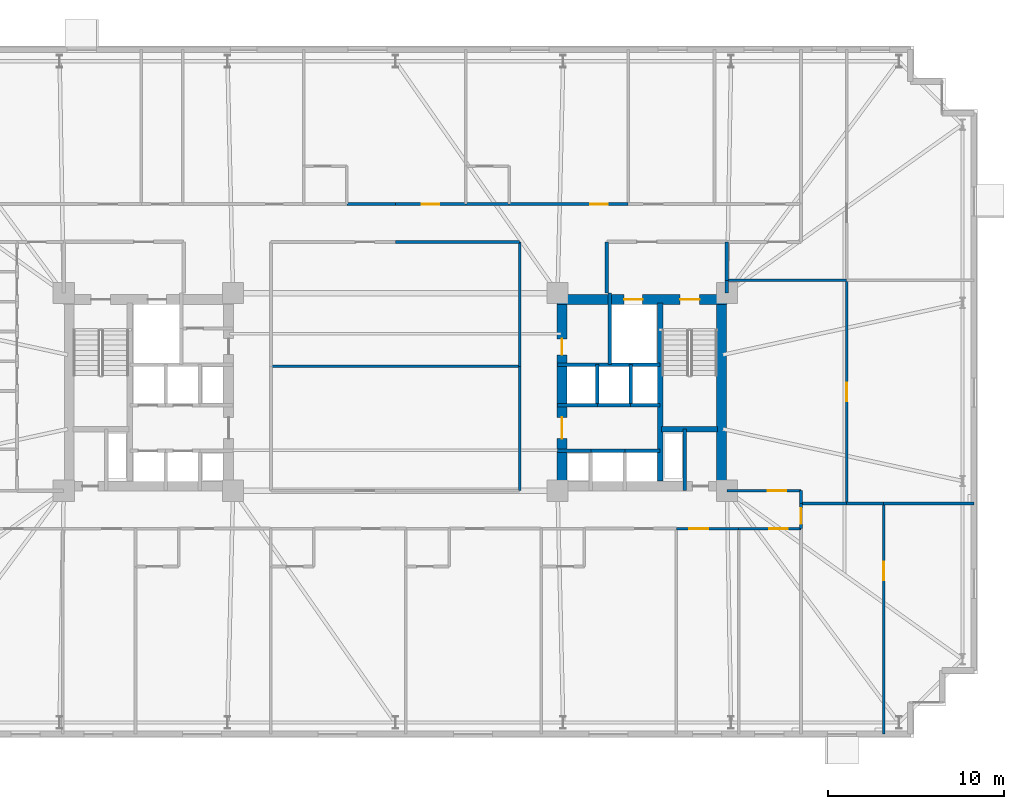
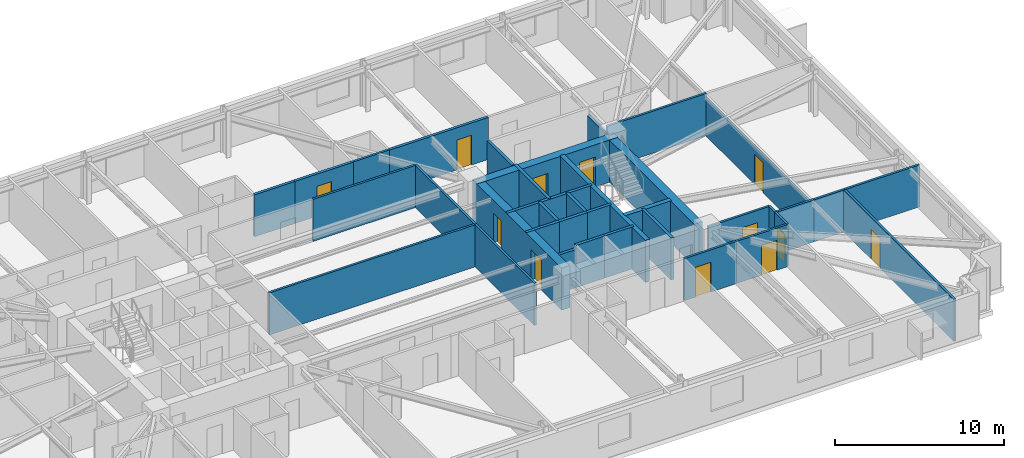
# One storey, part 17 of 21: 38 walls, 12 doors, 12 openings.
"""IFC4 building model written with IfcOpenShell, lengths in metres."""

from ifc_helpers import new_model, si_unit, direction, frame, frame_2d, origin, place, context, subcontext, project, spatial, rectangle, extrude, material, layer, layer_set, type_object, element, fill, save


model = new_model("IFC4")

# Units and contexts
model_context = context("Model", 3, precision=1e-05, world=origin(), true_north=direction((0.0, 1.0)))
body_context = subcontext(model_context, "Body", "Model", "MODEL_VIEW")
ifc_project = project(units=[si_unit("LENGTHUNIT", "METRE"), si_unit("AREAUNIT", "SQUARE_METRE"), si_unit("VOLUMEUNIT", "CUBIC_METRE"), si_unit("PLANEANGLEUNIT", "RADIAN"), si_unit("MASSUNIT", "GRAM", prefix="KILO")], contexts=[model_context])

# Site, building, storey
site_placement = place(None, origin())
site = spatial("IfcSite", under=ifc_project, at=site_placement, CompositionType="ELEMENT")
building_placement = place(site_placement, origin())
building = spatial("IfcBuilding", under=site, at=building_placement, Name="Qobustan Lattice House", CompositionType="ELEMENT")
storey_placement = place(building_placement, frame((0.0, 0.0, 40.39990234375)))
storey = spatial("IfcBuildingStorey", under=building, at=storey_placement, Name="L10", CompositionType="ELEMENT", Elevation=40.39990234375)

# Wall, openings, doors
ifc_material_1 = material(Name="Concrete C60/75", Category="concrete")
ifc_layer_1 = layer(ifc_material_1, 0.56005859375)
ifc_layer_set_1 = layer_set([ifc_layer_1], Name="Concrete C60/75")
wall_type_1 = type_object("IfcWallType", Name="WAL-CORE-600", PredefinedType="SHEAR", material=ifc_layer_set_1)
wall_1_placement = place(storey_placement, frame((9.199951171875, 5.239990234375, 0.0), z_axis=(0.0, 0.0, 1.0), x_axis=(1.0, 0.0, 0.0)))
wall_1 = element("IfcWall", 1, at=wall_1_placement, inside=storey, type_object=wall_type_1, Name="L10 split-core shear wall CE-N", PredefinedType="SHEAR", context=body_context, shape_type="SweptSolid", body=[
    extrude(rectangle(XDim=9.60009765625, YDim=0.56005859375, at=frame_2d((4.800048828125, 0.0))), origin(), (0.0, 0.0, 1.0), 3.03515625),
])
opening_1_placement = place(wall_1_placement, frame((6.949951171875, 0.0, 0.0)))
opening_1 = element("IfcOpeningElement", 2, at=opening_1_placement, cuts=wall_1, Name="Opening SD-01", PredefinedType="OPENING", context=body_context, shape_type="SweptSolid", body=[
    extrude(rectangle(XDim=1.10009765625, YDim=2.14990234375, at=frame_2d((0.550048828125, 1.074951171875))), frame((0.0, 0.2900390625, 0.0), z_axis=(0.0, -1.0, 0.0), x_axis=(1.0, 0.0, 0.0)), (0.0, 0.0, 1.0), 0.580078125),
])
opening_2_placement = place(wall_1_placement, frame((3.77490234375, 0.0, 0.0)))
opening_2 = element("IfcOpeningElement", 3, at=opening_2_placement, cuts=wall_1, Name="Opening LD-01", PredefinedType="OPENING", context=body_context, shape_type="SweptSolid", body=[
    extrude(rectangle(XDim=1.050048828125, YDim=2.10009765625, at=frame_2d((0.52490234375, 1.050048828125))), frame((0.0, 0.2900390625, 0.0), z_axis=(0.0, -1.0, 0.0), x_axis=(1.0, 0.0, 0.0)), (0.0, 0.0, 1.0), 0.580078125),
])
ifc_material_2 = material(Name="Persian walnut timber and steel frame door", Category="steel")
door_type_1 = type_object("IfcDoorType", Name="DOR-LIFT-LD-1050x2100", OperationType="NOTDEFINED", PredefinedType="DOOR", material=ifc_material_2)
door_1_placement = place(opening_2_placement, origin())
door_1 = element("IfcDoor", 4, at=door_1_placement, inside=storey, type_object=door_type_1, Name="L10 firefighting lift FF-E landing door", OperationType="DOUBLE_DOOR_SLIDING", OverallHeight=2.10009765625, OverallWidth=1.050048828125, PredefinedType="DOOR", context=body_context, shape_type="SweptSolid", body=[
    extrude(rectangle(XDim=1.050048828125, YDim=2.10009765625, at=frame_2d((0.52490234375, 1.050048828125))), frame((0.0, 0.02490234375, 0.0), z_axis=(0.0, -1.0, 0.0), x_axis=(1.0, 0.0, 0.0)), (0.0, 0.0, 1.0), 0.050048828125),
])
fill(opening_2, door_1)
ifc_material_3 = material(Name="Persian walnut timber and steel frame door", Category="steel")
door_type_2 = type_object("IfcDoorType", Name="DOR-STAIR-FD-1100x2150", OperationType="NOTDEFINED", PredefinedType="DOOR", material=ifc_material_3)
door_2_placement = place(opening_1_placement, origin())
door_2 = element("IfcDoor", 5, at=door_2_placement, inside=storey, type_object=door_type_2, Name="L10 exit stair ST-E1 fire door", OperationType="SINGLE_SWING_RIGHT", OverallHeight=2.14990234375, OverallWidth=1.10009765625, PredefinedType="DOOR", context=body_context, shape_type="SweptSolid", body=[
    extrude(rectangle(XDim=1.10009765625, YDim=2.14990234375, at=frame_2d((0.550048828125, 1.074951171875))), frame((0.0, 0.02490234375, 0.0), z_axis=(0.0, -1.0, 0.0), x_axis=(1.0, 0.0, 0.0)), (0.0, 0.0, 1.0), 0.050048828125),
])
fill(opening_1, door_2)

wall_2_placement = place(storey_placement, frame((9.449951171875, -5.050048828125, 0.0), z_axis=(0.0, 0.0, 1.0), x_axis=(0.0, 1.0, 0.0)))
wall_2 = element("IfcWall", 6, at=wall_2_placement, inside=storey, type_object=wall_type_1, Name="L10 split-core shear wall CE-W", PredefinedType="SHEAR", context=body_context, shape_type="SweptSolid", body=[
    extrude(rectangle(XDim=10.10009765625, YDim=0.56005859375, at=frame_2d((5.050048828125, 0.0))), origin(), (0.0, 0.0, 1.0), 3.03515625),
])
opening_3_placement = place(wall_2_placement, frame((7.14990234375, 0.0, 0.0)))
opening_3 = element("IfcOpeningElement", 7, at=opening_3_placement, cuts=wall_2, Name="Opening RD-01", PredefinedType="OPENING", context=body_context, shape_type="SweptSolid", body=[
    extrude(rectangle(XDim=0.89990234375, YDim=2.10009765625, at=frame_2d((0.449951171875, 1.050048828125))), frame((0.0, 0.2900390625, 0.0), z_axis=(0.0, -1.0, 0.0), x_axis=(1.0, 0.0, 0.0)), (0.0, 0.0, 1.0), 0.580078125),
])
opening_4_placement = place(wall_2_placement, frame((2.39990234375, 0.0, 0.0)))
opening_4 = element("IfcOpeningElement", 8, at=opening_4_placement, cuts=wall_2, Name="Opening FD-01", PredefinedType="OPENING", context=body_context, shape_type="SweptSolid", body=[
    extrude(rectangle(XDim=1.199951171875, YDim=2.14990234375, at=frame_2d((0.60009765625, 1.074951171875))), frame((0.0, 0.2900390625, 0.0), z_axis=(0.0, -1.0, 0.0), x_axis=(1.0, 0.0, 0.0)), (0.0, 0.0, 1.0), 0.580078125),
])
ifc_material_4 = material(Name="Persian walnut timber and steel frame door", Category="steel")
door_type_3 = type_object("IfcDoorType", Name="DOR-LOBBY-FD-1200x2150", OperationType="NOTDEFINED", PredefinedType="DOOR", material=ifc_material_4)
door_3_placement = place(opening_4_placement, origin())
door_3 = element("IfcDoor", 9, at=door_3_placement, inside=storey, type_object=door_type_3, Name="L10 East passenger lift lobby fire door", OperationType="SINGLE_SWING_LEFT", OverallHeight=2.14990234375, OverallWidth=1.199951171875, PredefinedType="DOOR", context=body_context, shape_type="SweptSolid", body=[
    extrude(rectangle(XDim=1.199951171875, YDim=2.14990234375, at=frame_2d((0.60009765625, 1.074951171875))), frame((0.0, 0.02490234375, 0.0), z_axis=(0.0, -1.0, 0.0), x_axis=(1.0, 0.0, 0.0)), (0.0, 0.0, 1.0), 0.050048828125),
])
fill(opening_4, door_3)
ifc_material_5 = material(Name="Persian walnut timber and steel frame door", Category="steel")
door_type_4 = type_object("IfcDoorType", Name="DOR-RISER-FD-900x2100", OperationType="NOTDEFINED", PredefinedType="DOOR", material=ifc_material_5)
door_4_placement = place(opening_3_placement, origin())
door_4 = element("IfcDoor", 10, at=door_4_placement, inside=storey, type_object=door_type_4, Name="L10 Housekeeping linen store fire door", OperationType="SINGLE_SWING_RIGHT", OverallHeight=2.10009765625, OverallWidth=0.89990234375, PredefinedType="DOOR", context=body_context, shape_type="SweptSolid", body=[
    extrude(rectangle(XDim=0.89990234375, YDim=2.10009765625, at=frame_2d((0.449951171875, 1.050048828125))), frame((0.0, 0.02490234375, 0.0), z_axis=(0.0, -1.0, 0.0), x_axis=(1.0, 0.0, 0.0)), (0.0, 0.0, 1.0), 0.050048828125),
])
fill(opening_3, door_4)

# Walls
wall_3_placement = place(storey_placement, frame((18.489990234375, -5.050048828125, 0.0), z_axis=(0.0, 0.0, 1.0), x_axis=(0.0, 1.0, 0.0)))
element("IfcWall", 11, at=wall_3_placement, inside=storey, type_object=wall_type_1, Name="L10 split-core shear wall CE-E", PredefinedType="SHEAR", context=body_context, shape_type="SweptSolid", body=[
    extrude(rectangle(XDim=10.10009765625, YDim=0.56005859375, at=frame_2d((5.050048828125, 0.0))), origin(), (0.0, 0.0, 1.0), 3.03515625),
])
ifc_material_6 = material(Name="Concrete C50/60", Category="concrete")
ifc_layer_2 = layer(ifc_material_6, 0.280029296875)
ifc_layer_set_2 = layer_set([ifc_layer_2], Name="Concrete C50/60")
wall_type_2 = type_object("IfcWallType", Name="WAL-CORE-SPINE-280", PredefinedType="SHEAR", material=ifc_layer_set_2)
wall_4_placement = place(storey_placement, frame((15.02001953125, -5.050048828125, 0.0), z_axis=(0.0, 0.0, 1.0), x_axis=(0.0, 1.0, 0.0)))
element("IfcWall", 12, at=wall_4_placement, inside=storey, type_object=wall_type_2, Name="L10 split-core shear wall CE-M", PredefinedType="SHEAR", context=body_context, shape_type="SweptSolid", body=[
    extrude(rectangle(XDim=10.10009765625, YDim=0.300048828125, at=frame_2d((5.050048828125, 0.0))), origin(), (0.0, 0.0, 1.0), 3.03515625),
])
wall_5_placement = place(storey_placement, frame((15.10009765625, -2.110107421875, 0.0), z_axis=(0.0, 0.0, 1.0), x_axis=(1.0, 0.0, 0.0)))
element("IfcWall", 13, at=wall_5_placement, inside=storey, type_object=wall_type_2, Name="L10 split-core shear wall CE-ST", PredefinedType="SHEAR", context=body_context, shape_type="SweptSolid", body=[
    extrude(rectangle(XDim=3.179931640625, YDim=0.300048828125, at=frame_2d((1.58984375, 0.0))), origin(), (0.0, 0.0, 1.0), 3.03515625),
])
ifc_material_7 = material(Name="Gypsum fireboard acoustic partition", Category="gypsum")
ifc_layer_3 = layer(ifc_material_7, 0.179931640625)
ifc_layer_set_3 = layer_set([ifc_layer_3], Name="Gypsum fireboard acoustic partition")
wall_type_3 = type_object("IfcWallType", Name="WAL-FIRE-180", PredefinedType="PARTITIONING", material=ifc_layer_set_3)
wall_6_placement = place(storey_placement, frame((-2.75, 10.64990234375, 0.0), z_axis=(0.0, 0.0, 1.0), x_axis=(1.0, 0.0, 0.0)))
element("IfcWall", 14, at=wall_6_placement, inside=storey, type_object=wall_type_3, Name="L10 interior partition 43", PredefinedType="PARTITIONING", context=body_context, shape_type="SweptSolid", body=[
    extrude(rectangle(XDim=2.75, YDim=0.179931640625, at=frame_2d((1.375, 0.0))), origin(), (0.0, 0.0, 1.0), 3.03515625),
])

# Wall, opening, door
wall_7_placement = place(storey_placement, frame((0.0, 10.64990234375, 0.0), z_axis=(0.0, 0.0, 1.0), x_axis=(1.0, 0.0, 0.0)))
wall_7 = element("IfcWall", 15, at=wall_7_placement, inside=storey, type_object=wall_type_3, Name="L10 interior partition 48", PredefinedType="PARTITIONING", context=body_context, shape_type="SweptSolid", body=[
    extrude(rectangle(XDim=4.0, YDim=0.179931640625, at=frame_2d((2.0, 0.0))), origin(), (0.0, 0.0, 1.0), 3.03515625),
])
opening_5_placement = place(wall_7_placement, frame((1.5, 0.0, 0.0)))
opening_5 = element("IfcOpeningElement", 16, at=opening_5_placement, cuts=wall_7, Name="Opening FD-02", PredefinedType="OPENING", context=body_context, shape_type="SweptSolid", body=[
    extrude(rectangle(XDim=1.0, YDim=2.14990234375, at=frame_2d((0.5, 1.074951171875))), frame((0.0, 0.099853515625, 0.0), z_axis=(0.0, -1.0, 0.0), x_axis=(1.0, 0.0, 0.0)), (0.0, 0.0, 1.0), 0.199951171875),
])
ifc_material_8 = material(Name="Persian walnut timber and steel frame door", Category="steel")
door_type_5 = type_object("IfcDoorType", Name="DOR-UNIT-FD-1000x2150", OperationType="NOTDEFINED", PredefinedType="DOOR", material=ifc_material_8)
door_5_placement = place(opening_5_placement, origin())
door_5 = element("IfcDoor", 17, at=door_5_placement, inside=storey, type_object=door_type_5, Name="L10 North-east floor corridor to Kitchenette and studio apartment L10-N3 door", OperationType="SINGLE_SWING_RIGHT", OverallHeight=2.14990234375, OverallWidth=1.0, PredefinedType="DOOR", context=body_context, shape_type="SweptSolid", body=[
    extrude(rectangle(XDim=1.0, YDim=2.14990234375, at=frame_2d((0.5, 1.074951171875))), frame((0.0, 0.02490234375, 0.0), z_axis=(0.0, -1.0, 0.0), x_axis=(1.0, 0.0, 0.0)), (0.0, 0.0, 1.0), 0.050048828125),
])
fill(opening_5, door_5)

wall_8_placement = place(storey_placement, frame((6.449951171875, 10.64990234375, 0.0), z_axis=(0.0, 0.0, 1.0), x_axis=(1.0, 0.0, 0.0)))
wall_8 = element("IfcWall", 18, at=wall_8_placement, inside=storey, type_object=wall_type_3, Name="L10 interior partition 49", PredefinedType="PARTITIONING", context=body_context, shape_type="SweptSolid", body=[
    extrude(rectangle(XDim=6.75, YDim=0.179931640625, at=frame_2d((3.375, 0.0))), origin(), (0.0, 0.0, 1.0), 3.03515625),
])
opening_6_placement = place(wall_8_placement, frame((4.59619140625, 0.0, 0.0)))
opening_6 = element("IfcOpeningElement", 19, at=opening_6_placement, cuts=wall_8, Name="Opening FD-02", PredefinedType="OPENING", context=body_context, shape_type="SweptSolid", body=[
    extrude(rectangle(XDim=1.0, YDim=2.14990234375, at=frame_2d((0.5, 1.074951171875))), frame((0.0, 0.099853515625, 0.0), z_axis=(0.0, -1.0, 0.0), x_axis=(1.0, 0.0, 0.0)), (0.0, 0.0, 1.0), 0.199951171875),
])
door_6_placement = place(opening_6_placement, origin())
door_6 = element("IfcDoor", 20, at=door_6_placement, inside=storey, type_object=door_type_5, Name="L10 North-east floor corridor to Kitchenette and studio apartment L10-N4 door", OperationType="SINGLE_SWING_LEFT", OverallHeight=2.14990234375, OverallWidth=1.0, PredefinedType="DOOR", context=body_context, shape_type="SweptSolid", body=[
    extrude(rectangle(XDim=1.0, YDim=2.14990234375, at=frame_2d((0.5, 1.074951171875))), frame((0.0, 0.02490234375, 0.0), z_axis=(0.0, -1.0, 0.0), x_axis=(1.0, 0.0, 0.0)), (0.0, 0.0, 1.0), 0.050048828125),
])
fill(opening_6, door_6)

# Wall
ifc_material_9 = material(Name="Acoustic twin-stud gypsum partition", Category="gypsum")
ifc_layer_4 = layer(ifc_material_9, 0.14990234375)
ifc_layer_set_4 = layer_set([ifc_layer_4], Name="Acoustic twin-stud gypsum partition")
wall_type_4 = type_object("IfcWallType", Name="WAL-PART-150", PredefinedType="PARTITIONING", material=ifc_layer_set_4)
wall_9_placement = place(storey_placement, frame((7.050048828125, 8.5, 0.0), z_axis=(0.0, 0.0, 1.0), x_axis=(-1.0, 0.0, 0.0)))
element("IfcWall", 21, at=wall_9_placement, inside=storey, type_object=wall_type_4, Name="L10 interior partition 53", PredefinedType="PARTITIONING", context=body_context, shape_type="SweptSolid", body=[
    extrude(rectangle(XDim=7.050048828125, YDim=0.14990234375, at=frame_2d((3.52490234375, 0.0))), origin(), (0.0, 0.0, 1.0), 3.03515625),
])

# Wall, opening, door
wall_10_placement = place(storey_placement, frame((23.0, -6.326904296875, 0.0), z_axis=(0.0, 0.0, 1.0), x_axis=(0.0, -1.0, 0.0)))
wall_10 = element("IfcWall", 22, at=wall_10_placement, inside=storey, type_object=wall_type_4, Name="L10 interior partition 63", PredefinedType="PARTITIONING", context=body_context, shape_type="SweptSolid", body=[
    extrude(rectangle(XDim=1.423095703125, YDim=0.14990234375, at=frame_2d((0.71142578125, 0.0))), origin(), (0.0, 0.0, 1.0), 3.03515625),
])
opening_7_placement = place(wall_10_placement, frame((0.261474609375, 0.0, 0.0)))
opening_7 = element("IfcOpeningElement", 23, at=opening_7_placement, cuts=wall_10, Name="Opening WD-01", PredefinedType="OPENING", context=body_context, shape_type="SweptSolid", body=[
    extrude(rectangle(XDim=0.89990234375, YDim=2.10009765625, at=frame_2d((0.449951171875, 1.050048828125))), frame((0.0, 0.0849609375, 0.0), z_axis=(0.0, -1.0, 0.0), x_axis=(1.0, 0.0, 0.0)), (0.0, 0.0, 1.0), 0.169921875),
])
ifc_material_10 = material(Name="Persian walnut timber and steel frame door", Category="steel")
door_type_6 = type_object("IfcDoorType", Name="DOR-WET-900x2100", OperationType="NOTDEFINED", PredefinedType="DOOR", material=ifc_material_10)
door_7_placement = place(opening_7_placement, origin())
door_7 = element("IfcDoor", 24, at=door_7_placement, inside=storey, type_object=door_type_6, Name="L10 South-east floor corridor to Focus study room E1A door", OperationType="SINGLE_SWING_LEFT", OverallHeight=2.10009765625, OverallWidth=0.89990234375, PredefinedType="DOOR", context=body_context, shape_type="SweptSolid", body=[
    extrude(rectangle(XDim=0.89990234375, YDim=2.10009765625, at=frame_2d((0.449951171875, 1.050048828125))), frame((0.0, 0.02490234375, 0.0), z_axis=(0.0, -1.0, 0.0), x_axis=(1.0, 0.0, 0.0)), (0.0, 0.0, 1.0), 0.050048828125),
])
fill(opening_7, door_7)

wall_11_placement = place(storey_placement, frame((18.800048828125, -5.60009765625, 0.0), z_axis=(0.0, 0.0, 1.0), x_axis=(1.0, 0.0, 0.0)))
wall_11 = element("IfcWall", 25, at=wall_11_placement, inside=storey, type_object=wall_type_4, Name="L10 interior partition 64", PredefinedType="PARTITIONING", context=body_context, shape_type="SweptSolid", body=[
    extrude(rectangle(XDim=4.199951171875, YDim=0.14990234375, at=frame_2d((2.10009765625, 0.0))), origin(), (0.0, 0.0, 1.0), 3.03515625),
])
opening_8_placement = place(wall_11_placement, frame((2.3212890625, 0.0, 0.0)))
opening_8 = element("IfcOpeningElement", 26, at=opening_8_placement, cuts=wall_11, Name="Opening ID-02", PredefinedType="OPENING", context=body_context, shape_type="SweptSolid", body=[
    extrude(rectangle(XDim=1.050048828125, YDim=2.14990234375, at=frame_2d((0.52490234375, 1.074951171875))), frame((0.0, 0.0849609375, 0.0), z_axis=(0.0, -1.0, 0.0), x_axis=(1.0, 0.0, 0.0)), (0.0, 0.0, 1.0), 0.169921875),
])
ifc_material_11 = material(Name="Persian walnut timber and steel frame door", Category="steel")
door_type_7 = type_object("IfcDoorType", Name="DOR-STUDY-1050x2150", OperationType="NOTDEFINED", PredefinedType="DOOR", material=ifc_material_11)
door_8_placement = place(opening_8_placement, origin())
door_8 = element("IfcDoor", 27, at=door_8_placement, inside=storey, type_object=door_type_7, Name="L10 South-east floor corridor to Focus study room E2A door", OperationType="SINGLE_SWING_RIGHT", OverallHeight=2.14990234375, OverallWidth=1.050048828125, PredefinedType="DOOR", context=body_context, shape_type="SweptSolid", body=[
    extrude(rectangle(XDim=1.050048828125, YDim=2.14990234375, at=frame_2d((0.52490234375, 1.074951171875))), frame((0.0, 0.02490234375, 0.0), z_axis=(0.0, -1.0, 0.0), x_axis=(1.0, 0.0, 0.0)), (0.0, 0.0, 1.0), 0.050048828125),
])
fill(opening_8, door_8)

# Wall
wall_12_placement = place(storey_placement, frame((23.0, -5.60009765625, 0.0), z_axis=(0.0, 0.0, 1.0), x_axis=(0.0, -1.0, 0.0)))
element("IfcWall", 28, at=wall_12_placement, inside=storey, type_object=wall_type_4, Name="L10 interior partition 65", PredefinedType="PARTITIONING", context=body_context, shape_type="SweptSolid", body=[
    extrude(rectangle(XDim=0.726806640625, YDim=0.14990234375, at=frame_2d((0.36328125, 0.0))), origin(), (0.0, 0.0, 1.0), 3.03515625),
])

# Wall, opening, door
wall_13_placement = place(storey_placement, frame((19.466552734375, -7.75, 0.0), z_axis=(0.0, 0.0, 1.0), x_axis=(-1.0, 0.0, 0.0)))
wall_13 = element("IfcWall", 29, at=wall_13_placement, inside=storey, type_object=wall_type_4, Name="L10 interior partition 71", PredefinedType="PARTITIONING", context=body_context, shape_type="SweptSolid", body=[
    extrude(rectangle(XDim=3.533447265625, YDim=0.14990234375, at=frame_2d((1.7666015625, 0.0))), origin(), (0.0, 0.0, 1.0), 3.03515625),
])
opening_9_placement = place(wall_13_placement, frame((1.738037109375, 0.0, 0.0)))
opening_9 = element("IfcOpeningElement", 30, at=opening_9_placement, cuts=wall_13, Name="Opening ID-02", PredefinedType="OPENING", context=body_context, shape_type="SweptSolid", body=[
    extrude(rectangle(XDim=1.050048828125, YDim=2.14990234375, at=frame_2d((0.52490234375, 1.074951171875))), frame((0.0, 0.0849609375, 0.0), z_axis=(0.0, -1.0, 0.0), x_axis=(1.0, 0.0, 0.0)), (0.0, 0.0, 1.0), 0.169921875),
])
door_9_placement = place(opening_9_placement, origin())
door_9 = element("IfcDoor", 31, at=door_9_placement, inside=storey, type_object=door_type_7, Name="L10 South-east floor corridor to Group study room door", OperationType="SINGLE_SWING_LEFT", OverallHeight=2.14990234375, OverallWidth=1.050048828125, PredefinedType="DOOR", context=body_context, shape_type="SweptSolid", body=[
    extrude(rectangle(XDim=1.050048828125, YDim=2.14990234375, at=frame_2d((0.52490234375, 1.074951171875))), frame((0.0, 0.02490234375, 0.0), z_axis=(0.0, -1.0, 0.0), x_axis=(1.0, 0.0, 0.0)), (0.0, 0.0, 1.0), 0.050048828125),
])
fill(opening_9, door_9)

wall_14_placement = place(storey_placement, frame((23.0, -7.75, 0.0), z_axis=(0.0, 0.0, 1.0), x_axis=(-1.0, 0.0, 0.0)))
wall_14 = element("IfcWall", 32, at=wall_14_placement, inside=storey, type_object=wall_type_4, Name="L10 interior partition 72", PredefinedType="PARTITIONING", context=body_context, shape_type="SweptSolid", body=[
    extrude(rectangle(XDim=3.533447265625, YDim=0.14990234375, at=frame_2d((1.7666015625, 0.0))), origin(), (0.0, 0.0, 1.0), 3.03515625),
])
opening_10_placement = place(wall_14_placement, frame((0.745361328125, 0.0, 0.0)))
opening_10 = element("IfcOpeningElement", 33, at=opening_10_placement, cuts=wall_14, Name="Opening ID-02", PredefinedType="OPENING", context=body_context, shape_type="SweptSolid", body=[
    extrude(rectangle(XDim=1.050048828125, YDim=2.14990234375, at=frame_2d((0.52490234375, 1.074951171875))), frame((0.0, 0.0849609375, 0.0), z_axis=(0.0, -1.0, 0.0), x_axis=(1.0, 0.0, 0.0)), (0.0, 0.0, 1.0), 0.169921875),
])
door_10_placement = place(opening_10_placement, origin())
door_10 = element("IfcDoor", 34, at=door_10_placement, inside=storey, type_object=door_type_7, Name="L10 South-east floor corridor to Academic seminar room door", OperationType="SINGLE_SWING_RIGHT", OverallHeight=2.14990234375, OverallWidth=1.050048828125, PredefinedType="DOOR", context=body_context, shape_type="SweptSolid", body=[
    extrude(rectangle(XDim=1.050048828125, YDim=2.14990234375, at=frame_2d((0.52490234375, 1.074951171875))), frame((0.0, 0.02490234375, 0.0), z_axis=(0.0, -1.0, 0.0), x_axis=(1.0, 0.0, 0.0)), (0.0, 0.0, 1.0), 0.050048828125),
])
fill(opening_10, door_10)

# Walls
for number, where, z_axis, x_axis, name in (
    (35, (7.050048828125, -5.60009765625, 0.0), (0.0, 0.0, 1.0), (0.0, 1.0, 0.0), "L10 interior partition 76"),
    (36, (7.050048828125, 1.449951171875, 0.0), (0.0, 0.0, 1.0), (0.0, 1.0, 0.0), "L10 interior partition 77"),
):
    element("IfcWall", number, at=place(storey_placement, frame(where, z_axis=z_axis, x_axis=x_axis)), inside=storey, type_object=wall_type_4, Name=name, PredefinedType="PARTITIONING", context=body_context, shape_type="SweptSolid", body=[
        extrude(rectangle(XDim=7.050048828125, YDim=0.14990234375, at=frame_2d((3.52490234375, 0.0))), origin(), (0.0, 0.0, 1.0), 3.03515625),
    ])

# Wall, opening, door
wall_15_placement = place(storey_placement, frame((27.68994140625, -6.326904296875, 0.0), z_axis=(0.0, 0.0, 1.0), x_axis=(0.0, -1.0, 0.0)))
wall_15 = element("IfcWall", 37, at=wall_15_placement, inside=storey, type_object=wall_type_4, Name="L10 interior partition 92", PredefinedType="PARTITIONING", context=body_context, shape_type="SweptSolid", body=[
    extrude(rectangle(XDim=13.072998046875, YDim=0.14990234375, at=frame_2d((6.53662109375, 0.0))), origin(), (0.0, 0.0, 1.0), 3.03515625),
])
opening_11_placement = place(wall_15_placement, frame((3.295654296875, 0.0, 0.0)))
opening_11 = element("IfcOpeningElement", 38, at=opening_11_placement, cuts=wall_15, Name="Opening ID-02", PredefinedType="OPENING", context=body_context, shape_type="SweptSolid", body=[
    extrude(rectangle(XDim=1.050048828125, YDim=2.14990234375, at=frame_2d((0.52490234375, 1.074951171875))), frame((0.0, 0.0849609375, 0.0), z_axis=(0.0, -1.0, 0.0), x_axis=(1.0, 0.0, 0.0)), (0.0, 0.0, 1.0), 0.169921875),
])
door_11_placement = place(opening_11_placement, origin())
door_11 = element("IfcDoor", 39, at=door_11_placement, inside=storey, type_object=door_type_7, Name="L10 Focus study room E1A to Focus study room E1B door", OperationType="SINGLE_SWING_RIGHT", OverallHeight=2.14990234375, OverallWidth=1.050048828125, PredefinedType="DOOR", context=body_context, shape_type="SweptSolid", body=[
    extrude(rectangle(XDim=1.050048828125, YDim=2.14990234375, at=frame_2d((0.52490234375, 1.074951171875))), frame((0.0, 0.02490234375, 0.0), z_axis=(0.0, -1.0, 0.0), x_axis=(1.0, 0.0, 0.0)), (0.0, 0.0, 1.0), 0.050048828125),
])
fill(opening_11, door_11)

# Walls
wall_16_placement = place(storey_placement, frame((23.0, -6.326904296875, 0.0), z_axis=(0.0, 0.0, 1.0), x_axis=(1.0, 0.0, 0.0)))
element("IfcWall", 40, at=wall_16_placement, inside=storey, type_object=wall_type_4, Name="L10 interior partition 93", PredefinedType="PARTITIONING", context=body_context, shape_type="SweptSolid", body=[
    extrude(rectangle(XDim=2.590087890625, YDim=0.14990234375, at=frame_2d((1.294921875, 0.0))), origin(), (0.0, 0.0, 1.0), 3.03515625),
])
wall_17_placement = place(storey_placement, frame((25.590087890625, -6.326904296875, 0.0), z_axis=(0.0, 0.0, 1.0), x_axis=(1.0, 0.0, 0.0)))
element("IfcWall", 41, at=wall_17_placement, inside=storey, type_object=wall_type_4, Name="L10 interior partition 94", PredefinedType="PARTITIONING", context=body_context, shape_type="SweptSolid", body=[
    extrude(rectangle(XDim=2.099853515625, YDim=0.14990234375, at=frame_2d((1.0498046875, 0.0))), origin(), (0.0, 0.0, 1.0), 3.03515625),
])
wall_18_placement = place(storey_placement, frame((27.68994140625, -6.326904296875, 0.0), z_axis=(0.0, 0.0, 1.0), x_axis=(1.0, 0.0, 0.0)))
element("IfcWall", 42, at=wall_18_placement, inside=storey, type_object=wall_type_4, Name="L10 interior partition 96", PredefinedType="PARTITIONING", context=body_context, shape_type="SweptSolid", body=[
    extrude(rectangle(XDim=5.110107421875, YDim=0.14990234375, at=frame_2d((2.55517578125, 0.0))), origin(), (0.0, 0.0, 1.0), 3.03515625),
])

# Wall, opening, door
wall_19_placement = place(storey_placement, frame((25.590087890625, 6.326904296875, 0.0), z_axis=(0.0, 0.0, 1.0), x_axis=(0.0, -1.0, 0.0)))
wall_19 = element("IfcWall", 43, at=wall_19_placement, inside=storey, type_object=wall_type_4, Name="L10 interior partition 97", PredefinedType="PARTITIONING", context=body_context, shape_type="SweptSolid", body=[
    extrude(rectangle(XDim=12.65380859375, YDim=0.14990234375, at=frame_2d((6.326904296875, 0.0))), origin(), (0.0, 0.0, 1.0), 2.690185546875),
])
opening_12_placement = place(wall_19_placement, frame((5.802001953125, 0.0, 0.0)))
opening_12 = element("IfcOpeningElement", 44, at=opening_12_placement, cuts=wall_19, Name="Opening ID-02", PredefinedType="OPENING", context=body_context, shape_type="SweptSolid", body=[
    extrude(rectangle(XDim=1.050048828125, YDim=2.14990234375, at=frame_2d((0.52490234375, 1.074951171875))), frame((0.0, 0.0849609375, 0.0), z_axis=(0.0, -1.0, 0.0), x_axis=(1.0, 0.0, 0.0)), (0.0, 0.0, 1.0), 0.169921875),
])
door_12_placement = place(opening_12_placement, origin())
door_12 = element("IfcDoor", 45, at=door_12_placement, inside=storey, type_object=door_type_7, Name="L10 Focus study room E2A to Focus study room E2B door", OperationType="SINGLE_SWING_LEFT", OverallHeight=2.14990234375, OverallWidth=1.050048828125, PredefinedType="DOOR", context=body_context, shape_type="SweptSolid", body=[
    extrude(rectangle(XDim=1.050048828125, YDim=2.14990234375, at=frame_2d((0.52490234375, 1.074951171875))), frame((0.0, 0.02490234375, 0.0), z_axis=(0.0, -1.0, 0.0), x_axis=(1.0, 0.0, 0.0)), (0.0, 0.0, 1.0), 0.050048828125),
])
fill(opening_12, door_12)

# Walls
wall_20_placement = place(storey_placement, frame((18.800048828125, 6.326904296875, 0.0), z_axis=(0.0, 0.0, 1.0), x_axis=(1.0, 0.0, 0.0)))
element("IfcWall", 46, at=wall_20_placement, inside=storey, type_object=wall_type_4, Name="L10 interior partition 98", PredefinedType="PARTITIONING", context=body_context, shape_type="SweptSolid", body=[
    extrude(rectangle(XDim=6.7900390625, YDim=0.14990234375, at=frame_2d((3.39501953125, 0.0))), origin(), (0.0, 0.0, 1.0), 3.03515625),
])
wall_21_placement = place(storey_placement, frame((-7.050048828125, 1.449951171875, 0.0), z_axis=(0.0, 0.0, 1.0), x_axis=(1.0, 0.0, 0.0)))
element("IfcWall", 47, at=wall_21_placement, inside=storey, type_object=wall_type_4, Name="L10 interior partition 133", PredefinedType="PARTITIONING", context=body_context, shape_type="SweptSolid", body=[
    extrude(rectangle(XDim=14.10009765625, YDim=0.14990234375, at=frame_2d((7.050048828125, 0.0))), origin(), (0.0, 0.0, 1.0), 3.03515625),
])
ifc_material_12 = material(Name="Two-hour gypsum fireboard acoustic partition", Category="gypsum")
ifc_layer_5 = layer(ifc_material_12, 0.199951171875)
ifc_layer_set_5 = layer_set([ifc_layer_5], Name="Two-hour gypsum fireboard acoustic partition")
wall_type_5 = type_object("IfcWallType", Name="WAL-PROT-200", PredefinedType="PARTITIONING", material=ifc_layer_set_5)
wall_22_placement = place(storey_placement, frame((12.0, 8.5, 0.0), z_axis=(0.0, 0.0, 1.0), x_axis=(0.0, -1.0, 0.0)))
element("IfcWall", 48, at=wall_22_placement, inside=storey, type_object=wall_type_5, Name="L10 interior partition 23", PredefinedType="PARTITIONING", context=body_context, shape_type="SweptSolid", body=[
    extrude(rectangle(XDim=2.89990234375, YDim=0.199951171875, at=frame_2d((1.449951171875, 0.0))), origin(), (0.0, 0.0, 1.0), 3.03515625),
])
wall_23_placement = place(storey_placement, frame((18.800048828125, 5.60009765625, 0.0), z_axis=(0.0, 0.0, 1.0), x_axis=(0.0, 1.0, 0.0)))
element("IfcWall", 49, at=wall_23_placement, inside=storey, type_object=wall_type_5, Name="L10 interior partition 24", PredefinedType="PARTITIONING", context=body_context, shape_type="SweptSolid", body=[
    extrude(rectangle(XDim=0.726806640625, YDim=0.199951171875, at=frame_2d((0.36328125, 0.0))), origin(), (0.0, 0.0, 1.0), 2.52001953125),
])
wall_24_placement = place(storey_placement, frame((18.800048828125, 6.326904296875, 0.0), z_axis=(0.0, 0.0, 1.0), x_axis=(0.0, 1.0, 0.0)))
element("IfcWall", 50, at=wall_24_placement, inside=storey, type_object=wall_type_5, Name="L10 interior partition 25", PredefinedType="PARTITIONING", context=body_context, shape_type="SweptSolid", body=[
    extrude(rectangle(XDim=2.173095703125, YDim=0.199951171875, at=frame_2d((1.08642578125, 0.0))), origin(), (0.0, 0.0, 1.0), 2.52001953125),
])
ifc_material_13 = material(Name="Concrete C40/50", Category="concrete")
ifc_layer_6 = layer(ifc_material_13, 0.199951171875)
ifc_layer_set_6 = layer_set([ifc_layer_6], Name="Concrete C40/50")
wall_type_6 = type_object("IfcWallType", Name="WAL-SHAFT-200", PredefinedType="PARTITIONING", material=ifc_layer_set_6)
wall_25_placement = place(storey_placement, frame((16.39990234375, -2.110107421875, 0.0), z_axis=(0.0, 0.0, 1.0), x_axis=(0.0, -1.0, 0.0)))
element("IfcWall", 51, at=wall_25_placement, inside=storey, type_object=wall_type_6, Name="L10 interior partition 20", PredefinedType="PARTITIONING", context=body_context, shape_type="SweptSolid", body=[
    extrude(rectangle(XDim=3.489990234375, YDim=0.199951171875, at=frame_2d((1.7451171875, 0.0))), origin(), (0.0, 0.0, 1.0), 3.03515625),
])
wall_26_placement = place(storey_placement, frame((12.14990234375, 5.60009765625, 0.0), z_axis=(0.0, 0.0, 1.0), x_axis=(0.0, -1.0, 0.0)))
element("IfcWall", 52, at=wall_26_placement, inside=storey, type_object=wall_type_6, Name="L10 interior partition 21", PredefinedType="PARTITIONING", context=body_context, shape_type="SweptSolid", body=[
    extrude(rectangle(XDim=4.050048828125, YDim=0.199951171875, at=frame_2d((2.02490234375, 0.0))), origin(), (0.0, 0.0, 1.0), 3.03515625),
])
wall_27_placement = place(storey_placement, frame((9.199951171875, -3.35009765625, 0.0), z_axis=(0.0, 0.0, 1.0), x_axis=(1.0, 0.0, 0.0)))
element("IfcWall", 53, at=wall_27_placement, inside=storey, type_object=wall_type_6, Name="L10 interior partition 27", PredefinedType="PARTITIONING", context=body_context, shape_type="SweptSolid", body=[
    extrude(rectangle(XDim=1.880126953125, YDim=0.199951171875, at=frame_2d((0.93994140625, 0.0))), origin(), (0.0, 0.0, 1.0), 2.75),
])
wall_28_placement = place(storey_placement, frame((11.080078125, -3.35009765625, 0.0), z_axis=(0.0, 0.0, 1.0), x_axis=(1.0, 0.0, 0.0)))
element("IfcWall", 54, at=wall_28_placement, inside=storey, type_object=wall_type_6, Name="L10 interior partition 28", PredefinedType="PARTITIONING", context=body_context, shape_type="SweptSolid", body=[
    extrude(rectangle(XDim=1.93994140625, YDim=0.199951171875, at=frame_2d((0.969970703125, 0.0))), origin(), (0.0, 0.0, 1.0), 3.03515625),
])
wall_29_placement = place(storey_placement, frame((13.02001953125, -3.35009765625, 0.0), z_axis=(0.0, 0.0, 1.0), x_axis=(1.0, 0.0, 0.0)))
element("IfcWall", 55, at=wall_29_placement, inside=storey, type_object=wall_type_6, Name="L10 interior partition 29", PredefinedType="PARTITIONING", context=body_context, shape_type="SweptSolid", body=[
    extrude(rectangle(XDim=2.0, YDim=0.199951171875, at=frame_2d((1.0, 0.0))), origin(), (0.0, 0.0, 1.0), 3.03515625),
])
wall_30_placement = place(storey_placement, frame((11.4599609375, -0.75, 0.0), z_axis=(0.0, 0.0, 1.0), x_axis=(-1.0, 0.0, 0.0)))
element("IfcWall", 56, at=wall_30_placement, inside=storey, type_object=wall_type_6, Name="L10 interior partition 30", PredefinedType="PARTITIONING", context=body_context, shape_type="SweptSolid", body=[
    extrude(rectangle(XDim=2.260009765625, YDim=0.199951171875, at=frame_2d((1.1298828125, 0.0))), origin(), (0.0, 0.0, 1.0), 3.03515625),
])
wall_31_placement = place(storey_placement, frame((13.340087890625, -0.75, 0.0), z_axis=(0.0, 0.0, 1.0), x_axis=(-1.0, 0.0, 0.0)))
element("IfcWall", 57, at=wall_31_placement, inside=storey, type_object=wall_type_6, Name="L10 interior partition 31", PredefinedType="PARTITIONING", context=body_context, shape_type="SweptSolid", body=[
    extrude(rectangle(XDim=1.880126953125, YDim=0.199951171875, at=frame_2d((0.93994140625, 0.0))), origin(), (0.0, 0.0, 1.0), 3.03515625),
])
wall_32_placement = place(storey_placement, frame((15.02001953125, -0.75, 0.0), z_axis=(0.0, 0.0, 1.0), x_axis=(-1.0, 0.0, 0.0)))
element("IfcWall", 58, at=wall_32_placement, inside=storey, type_object=wall_type_6, Name="L10 interior partition 32", PredefinedType="PARTITIONING", context=body_context, shape_type="SweptSolid", body=[
    extrude(rectangle(XDim=1.679931640625, YDim=0.199951171875, at=frame_2d((0.83984375, 0.0))), origin(), (0.0, 0.0, 1.0), 3.03515625),
])
for number, where, z_axis, x_axis, name in (
    (59, (11.4599609375, -0.75, 0.0), (0.0, 0.0, 1.0), (0.0, 1.0, 0.0), "L10 interior partition 36"),
    (60, (13.340087890625, -0.75, 0.0), (0.0, 0.0, 1.0), (0.0, 1.0, 0.0), "L10 interior partition 37"),
):
    element("IfcWall", number, at=place(storey_placement, frame(where, z_axis=z_axis, x_axis=x_axis)), inside=storey, type_object=wall_type_6, Name=name, PredefinedType="PARTITIONING", context=body_context, shape_type="SweptSolid", body=[
        extrude(rectangle(XDim=2.300048828125, YDim=0.199951171875, at=frame_2d((1.14990234375, 0.0))), origin(), (0.0, 0.0, 1.0), 3.03515625),
    ])
wall_33_placement = place(storey_placement, frame((9.199951171875, 1.550048828125, 0.0), z_axis=(0.0, 0.0, 1.0), x_axis=(1.0, 0.0, 0.0)))
element("IfcWall", 61, at=wall_33_placement, inside=storey, type_object=wall_type_6, Name="L10 interior partition 135", PredefinedType="PARTITIONING", context=body_context, shape_type="SweptSolid", body=[
    extrude(rectangle(XDim=5.820068359375, YDim=0.199951171875, at=frame_2d((2.91015625, 0.0))), origin(), (0.0, 0.0, 1.0), 3.03515625),
])
ifc_material_14 = material(Name="Moisture-resistant acoustic plumbing wall", Category="gypsum")
ifc_layer_7 = layer(ifc_material_14, 0.14990234375)
ifc_layer_set_7 = layer_set([ifc_layer_7], Name="Moisture-resistant acoustic plumbing wall")
wall_type_7 = type_object("IfcWallType", Name="WAL-WET-150", PredefinedType="PLUMBINGWALL", material=ifc_layer_set_7)
wall_34_placement = place(storey_placement, frame((4.0, 10.64990234375, 0.0), z_axis=(0.0, 0.0, 1.0), x_axis=(1.0, 0.0, 0.0)))
element("IfcWall", 62, at=wall_34_placement, inside=storey, type_object=wall_type_7, Name="L10 interior partition 50", PredefinedType="PLUMBINGWALL", context=body_context, shape_type="SweptSolid", body=[
    extrude(rectangle(XDim=2.449951171875, YDim=0.14990234375, at=frame_2d((1.22509765625, 0.0))), origin(), (0.0, 0.0, 1.0), 3.03515625),
])

save(model, "model.ifc")
